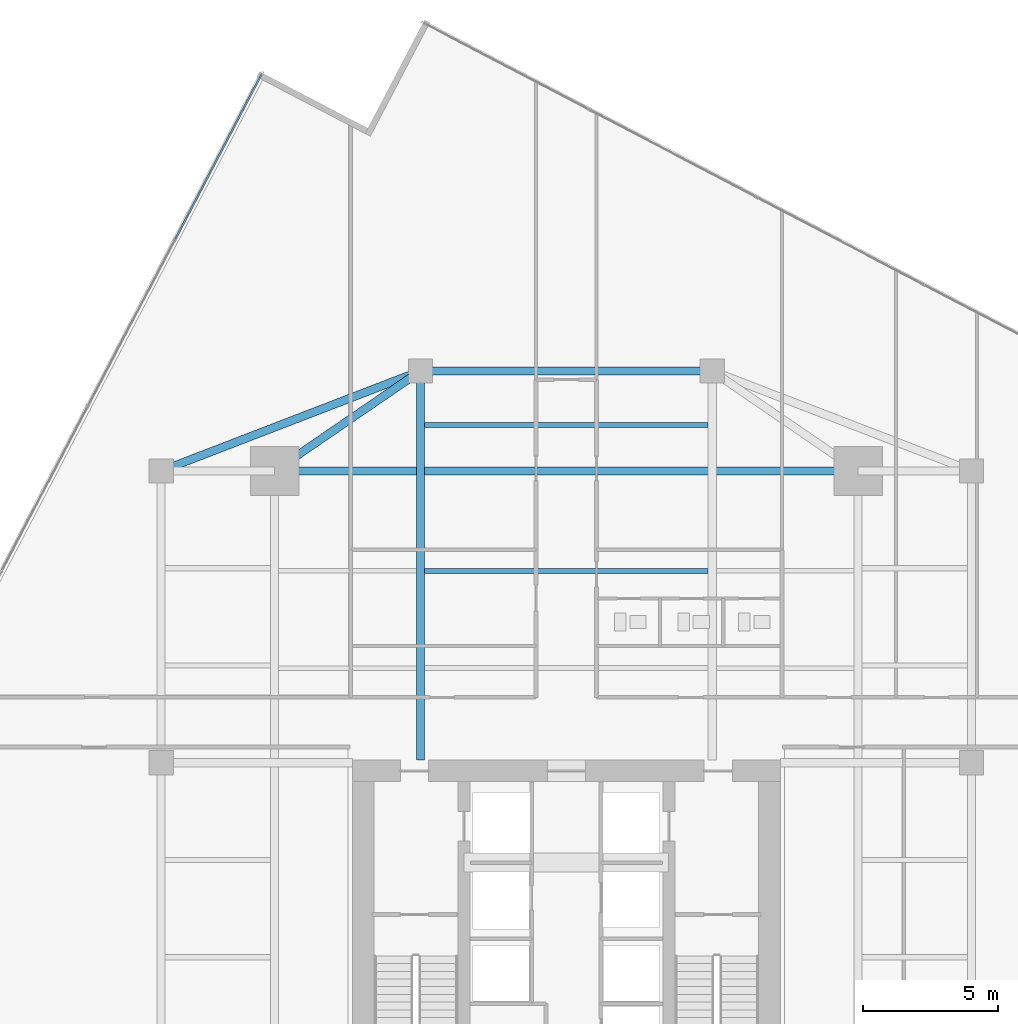
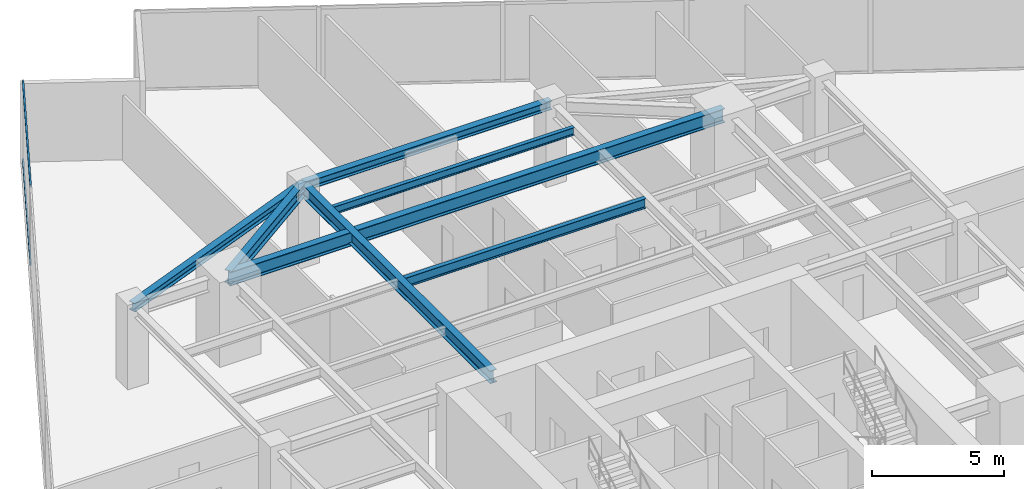
# One storey, part 15 of 27: 7 beams, 2 members, 1 element without a shape of its own.
"""IFC4 building model written with IfcOpenShell, lengths in metres."""

from ifc_helpers import new_model, si_unit, direction, frame, origin, origin_2d, place, context, subcontext, project, spatial, hollow_rectangle, i_section, extrude, source, transform, mapped, material, material_profile, profile_set, type_object, type_shapes, element, aggregate, save


model = new_model("IFC4")

# Units and contexts
model_context = context("Model", 3, precision=1e-05, world=origin(), true_north=direction((0.0, 1.0)))
body_context = subcontext(model_context, "Body", "Model", "MODEL_VIEW")
ifc_project = project(units=[si_unit("LENGTHUNIT", "METRE"), si_unit("AREAUNIT", "SQUARE_METRE"), si_unit("VOLUMEUNIT", "CUBIC_METRE"), si_unit("PLANEANGLEUNIT", "RADIAN"), si_unit("MASSUNIT", "GRAM", prefix="KILO")], contexts=[model_context])

# Site, building, storey
site_placement = place(None, origin())
site = spatial("IfcSite", under=ifc_project, at=site_placement, CompositionType="ELEMENT")
building_placement = place(site_placement, origin())
building = spatial("IfcBuilding", under=site, at=building_placement, Name="Krantzveldt Concourse Tower", CompositionType="ELEMENT")
storey_placement = place(building_placement, frame((0.0, 0.0, 150.14990234375)))
storey = spatial("IfcBuildingStorey", under=building, at=storey_placement, Name="L36", CompositionType="ELEMENT", Elevation=150.14990234375)

# Beams
ifc_material_1 = material(Name="Steel S355JR", Category="steel")
ifc_material_profile_1 = material_profile(ifc_material_1, i_section(OverallWidth=0.300048828125, OverallDepth=0.639892578125, WebThickness=0.013427734375, FlangeThickness=0.02587890625, FilletRadius=0.027099609375, at=origin_2d()), Name="Steel S355JR", Category="steel")
ifc_profile_set_1 = profile_set([ifc_material_profile_1], Name="Steel S355JR - HEA 650")
beam_type_1 = type_object("IfcBeamType", Name="BM-B-HEA650", PredefinedType="BEAM", material=ifc_profile_set_1)
shared_shape_1 = source(origin(), body_context, "Body", "SweptSolid", [
    extrude(i_section(OverallWidth=0.300048828125, OverallDepth=0.639892578125, WebThickness=0.013427734375, FlangeThickness=0.02587890625, FilletRadius=0.027099609375, at=origin_2d()), origin(), (0.0, 0.0, 1.0), 21.60009765625),
])
type_shapes(beam_type_1, [shared_shape_1])
beam_1_placement = place(storey_placement, frame((25.199951171875, 37.5, 3.35009765625), z_axis=(1.0, 0.0, 0.0), x_axis=(0.0, 1.0, 0.0)))
element("IfcBeam", 1, at=beam_1_placement, inside=storey, type_object=beam_type_1, Name="L36 Tower Girder BG-MN", PredefinedType="BEAM", context=body_context, shape_type="MappedRepresentation", body=[
    mapped(shared_shape_1, transform((0.0, 0.0, 0.0), x_axis=(1.0, 0.0, 0.0), y_axis=(0.0, 1.0, 0.0), z_axis=(0.0, 0.0, 1.0), scale=1.0)),
])
ifc_material_profile_2 = material_profile(ifc_material_1, i_section(OverallWidth=0.300048828125, OverallDepth=0.590087890625, WebThickness=0.012939453125, FlangeThickness=0.02490234375, FilletRadius=0.027099609375, at=origin_2d()), Name="Steel S355JR", Category="steel")
ifc_profile_set_2 = profile_set([ifc_material_profile_2], Name="Steel S355JR - HEA 600")
beam_type_2 = type_object("IfcBeamType", Name="BM-B-HEA600", PredefinedType="BEAM", material=ifc_profile_set_2)
shared_shape_2 = source(origin(), body_context, "Body", "SweptSolid", [
    extrude(i_section(OverallWidth=0.300048828125, OverallDepth=0.590087890625, WebThickness=0.012939453125, FlangeThickness=0.02490234375, FilletRadius=0.027099609375, at=origin_2d()), origin(), (0.0, 0.0, 1.0), 14.39990234375),
])
beam_2_placement = place(storey_placement, frame((30.60009765625, 26.800048828125, 3.375), z_axis=(0.0, 1.0, 0.0), x_axis=(-1.0, 0.0, 0.0)))
element("IfcBeam", 2, at=beam_2_placement, inside=storey, type_object=beam_type_2, Name="L36 Tower Girder BG-CNW", PredefinedType="BEAM", context=body_context, shape_type="MappedRepresentation", body=[
    mapped(shared_shape_2, transform((0.0, 0.0, 0.0), x_axis=(1.0, 0.0, 0.0), y_axis=(0.0, 1.0, 0.0), z_axis=(0.0, 0.0, 1.0), scale=1.0)),
])
shared_shape_3 = source(origin(), body_context, "Body", "SweptSolid", [
    extrude(i_section(OverallWidth=0.300048828125, OverallDepth=0.590087890625, WebThickness=0.012939453125, FlangeThickness=0.02490234375, FilletRadius=0.027099609375, at=origin_2d()), origin(), (0.0, 0.0, 1.0), 6.546142578125),
])
type_shapes(beam_type_2, [shared_shape_2, shared_shape_3])
beam_3_placement = place(storey_placement, frame((25.199951171875, 37.5, 3.375), z_axis=(0.824942999484, 0.565215930068, 0.0), x_axis=(-0.565215930068, 0.824942999484, 0.0)))
element("IfcBeam", 3, at=beam_3_placement, inside=storey, type_object=beam_type_2, Name="L36 Tower Girder BR-RL4", PredefinedType="BEAM", context=body_context, shape_type="MappedRepresentation", body=[
    mapped(shared_shape_3, transform((0.0, 0.0, 0.0), x_axis=(1.0, 0.0, 0.0), y_axis=(0.0, 1.0, 0.0), z_axis=(0.0, 0.0, 1.0), scale=1.0)),
])
ifc_material_profile_3 = material_profile(ifc_material_1, i_section(OverallWidth=0.18994140625, OverallDepth=0.449951171875, WebThickness=0.009521484375, FlangeThickness=0.0146484375, FilletRadius=0.02099609375, at=origin_2d()), Name="Steel S355JR", Category="steel")
ifc_profile_set_3 = profile_set([ifc_material_profile_3], Name="Steel S355JR - IPE 450")
beam_type_3 = type_object("IfcBeamType", Name="BM-J-IPE450", PredefinedType="JOIST", material=ifc_profile_set_3)
shared_shape_4 = source(origin(), body_context, "Body", "SweptSolid", [
    extrude(i_section(OverallWidth=0.18994140625, OverallDepth=0.449951171875, WebThickness=0.009521484375, FlangeThickness=0.0146484375, FilletRadius=0.02099609375, at=origin_2d()), origin(), (0.0, 0.0, 1.0), 10.5),
])
type_shapes(beam_type_3, [shared_shape_4])
beam_4_placement = place(storey_placement, frame((30.75, 33.800048828125, 3.445068359375), z_axis=(1.0, 0.0, 0.0), x_axis=(0.0, 1.0, 0.0)))
element("IfcBeam", 4, at=beam_4_placement, inside=storey, type_object=beam_type_3, Name="L36 Secondary Floor Joist JN-C2", PredefinedType="JOIST", context=body_context, shape_type="MappedRepresentation", body=[
    mapped(shared_shape_4, transform((0.0, 0.0, 0.0), x_axis=(1.0, 0.0, 0.0), y_axis=(0.0, 1.0, 0.0), z_axis=(0.0, 0.0, 1.0), scale=1.0)),
])
ifc_material_profile_4 = material_profile(ifc_material_1, i_section(OverallWidth=0.300048828125, OverallDepth=0.389892578125, WebThickness=0.010986328125, FlangeThickness=0.01904296875, FilletRadius=0.027099609375, at=origin_2d()), Name="Steel S355JR", Category="steel")
ifc_profile_set_4 = profile_set([ifc_material_profile_4], Name="Steel S355JR - HEA 400")
beam_type_4 = type_object("IfcBeamType", Name="BM-SP-HEA400", PredefinedType="SPANDREL", material=ifc_profile_set_4)
shared_shape_5 = source(origin(), body_context, "Body", "SweptSolid", [
    extrude(i_section(OverallWidth=0.300048828125, OverallDepth=0.389892578125, WebThickness=0.010986328125, FlangeThickness=0.01904296875, FilletRadius=0.027099609375, at=origin_2d()), origin(), (0.0, 0.0, 1.0), 10.288330078125),
])
beam_5_placement = place(storey_placement, frame((21.0, 37.5, 3.47509765625), z_axis=(0.933097690408, 0.359622997257, 0.0), x_axis=(-0.359622997257, 0.933097690408, 0.0)))
element("IfcBeam", 5, at=beam_5_placement, inside=storey, type_object=beam_type_4, Name="L36 Tower Girder SP-R03", PredefinedType="SPANDREL", context=body_context, shape_type="MappedRepresentation", body=[
    mapped(shared_shape_5, transform((0.0, 0.0, 0.0), x_axis=(1.0, 0.0, 0.0), y_axis=(0.0, 1.0, 0.0), z_axis=(0.0, 0.0, 1.0), scale=1.0)),
])
shared_shape_6 = source(origin(), body_context, "Body", "SweptSolid", [
    extrude(i_section(OverallWidth=0.300048828125, OverallDepth=0.389892578125, WebThickness=0.010986328125, FlangeThickness=0.01904296875, FilletRadius=0.027099609375, at=origin_2d()), origin(), (0.0, 0.0, 1.0), 10.7998046875),
])
type_shapes(beam_type_4, [shared_shape_5, shared_shape_6])
beam_6_placement = place(storey_placement, frame((30.60009765625, 41.199951171875, 3.47509765625), z_axis=(1.0, 0.0, 0.0), x_axis=(0.0, 1.0, 0.0)))
element("IfcBeam", 6, at=beam_6_placement, inside=storey, type_object=beam_type_4, Name="L36 Tower Girder SP-R04", PredefinedType="SPANDREL", context=body_context, shape_type="MappedRepresentation", body=[
    mapped(shared_shape_6, transform((0.0, 0.0, 0.0), x_axis=(1.0, 0.0, 0.0), y_axis=(0.0, 1.0, 0.0), z_axis=(0.0, 0.0, 1.0), scale=1.0)),
])
ifc_material_profile_5 = material_profile(ifc_material_1, i_section(OverallWidth=0.169921875, OverallDepth=0.360107421875, WebThickness=0.008056640625, FlangeThickness=0.0126953125, FilletRadius=0.01806640625, at=origin_2d()), Name="Steel S355JR", Category="steel")
ifc_profile_set_5 = profile_set([ifc_material_profile_5], Name="Steel S355JR - IPE 360")
beam_type_5 = type_object("IfcBeamType", Name="BM-J-IPE360", PredefinedType="JOIST", material=ifc_profile_set_5)
shared_shape_7 = source(origin(), body_context, "Body", "SweptSolid", [
    extrude(i_section(OverallWidth=0.169921875, OverallDepth=0.360107421875, WebThickness=0.008056640625, FlangeThickness=0.0126953125, FilletRadius=0.01806640625, at=origin_2d()), origin(), (0.0, 0.0, 1.0), 10.5),
])
type_shapes(beam_type_5, [shared_shape_7])
beam_7_placement = place(storey_placement, frame((30.75, 39.199951171875, 3.489990234375), z_axis=(1.0, 0.0, 0.0), x_axis=(0.0, 1.0, 0.0)))
element("IfcBeam", 7, at=beam_7_placement, inside=storey, type_object=beam_type_5, Name="L36 Secondary Floor Joist JN-C3", PredefinedType="JOIST", context=body_context, shape_type="MappedRepresentation", body=[
    mapped(shared_shape_7, transform((0.0, 0.0, 0.0), x_axis=(1.0, 0.0, 0.0), y_axis=(0.0, 1.0, 0.0), z_axis=(0.0, 0.0, 1.0), scale=1.0)),
])

# Curtain wall, members
ifc_material_2 = material(Name="Anodised aluminium 6063-T6", Category="aluminium")
curtain_wall_type = type_object("IfcCurtainWallType", Name="CW3", PredefinedType="USERDEFINED", material=ifc_material_2)
curtain_wall_placement = place(storey_placement, origin())
curtain_wall = element("IfcCurtainWall", 8, at=curtain_wall_placement, inside=storey, type_object=curtain_wall_type, Name="CW-L36-F01", ObjectType="UNITISED CURTAIN WALL", PredefinedType="USERDEFINED")
ifc_material_profile_6 = material_profile(ifc_material_2, hollow_rectangle(XDim=0.070068359375, YDim=0.139892578125, WallThickness=0.0048828125, at=origin_2d()), Name="Anodised aluminium 6063-T6", Category="aluminium")
ifc_profile_set_6 = profile_set([ifc_material_profile_6], Name="Anodised aluminium 6063-T6 - ALU-TRAN 140x70x5")
member_type = type_object("IfcMemberType", Name="CW-TRN-150", PredefinedType="USERDEFINED", material=ifc_profile_set_6)
shared_shape_8 = source(origin(), body_context, "Body", "SweptSolid", [
    extrude(hollow_rectangle(XDim=0.070068359375, YDim=0.139892578125, WallThickness=0.0048828125, at=origin_2d()), origin(), (0.0, 0.0, 1.0), 6.85498046875),
])
type_shapes(member_type, [shared_shape_8])
member_1_placement = place(storey_placement, frame((24.7119140625, 52.167236328125, 0.03515625), z_axis=(-0.463676917957, -0.886004354252, 0.0), x_axis=(0.886004354252, -0.463676917957, 0.0)))
member_1 = element("IfcMember", 9, at=member_1_placement, type_object=member_type, Name="CW-Z34 transom 1.1", ObjectType="TRANSOM", PredefinedType="USERDEFINED", context=body_context, shape_type="MappedRepresentation", body=[
    mapped(shared_shape_8, transform((0.0, 0.0, 0.0), x_axis=(1.0, 0.0, 0.0), y_axis=(0.0, 1.0, 0.0), z_axis=(0.0, 0.0, 1.0), scale=1.0)),
])
member_2_placement = place(storey_placement, frame((24.7119140625, 52.167236328125, 3.635009765625), z_axis=(-0.463676917957, -0.886004354252, 0.0), x_axis=(0.886004354252, -0.463676917957, 0.0)))
member_2 = element("IfcMember", 10, at=member_2_placement, type_object=member_type, Name="CW-Z34 transom 1.2", ObjectType="TRANSOM", PredefinedType="USERDEFINED", context=body_context, shape_type="MappedRepresentation", body=[
    mapped(shared_shape_8, transform((0.0, 0.0, 0.0), x_axis=(1.0, 0.0, 0.0), y_axis=(0.0, 1.0, 0.0), z_axis=(0.0, 0.0, 1.0), scale=1.0)),
])
aggregate(curtain_wall, [member_1, member_2])

save(model, "model.ifc")
